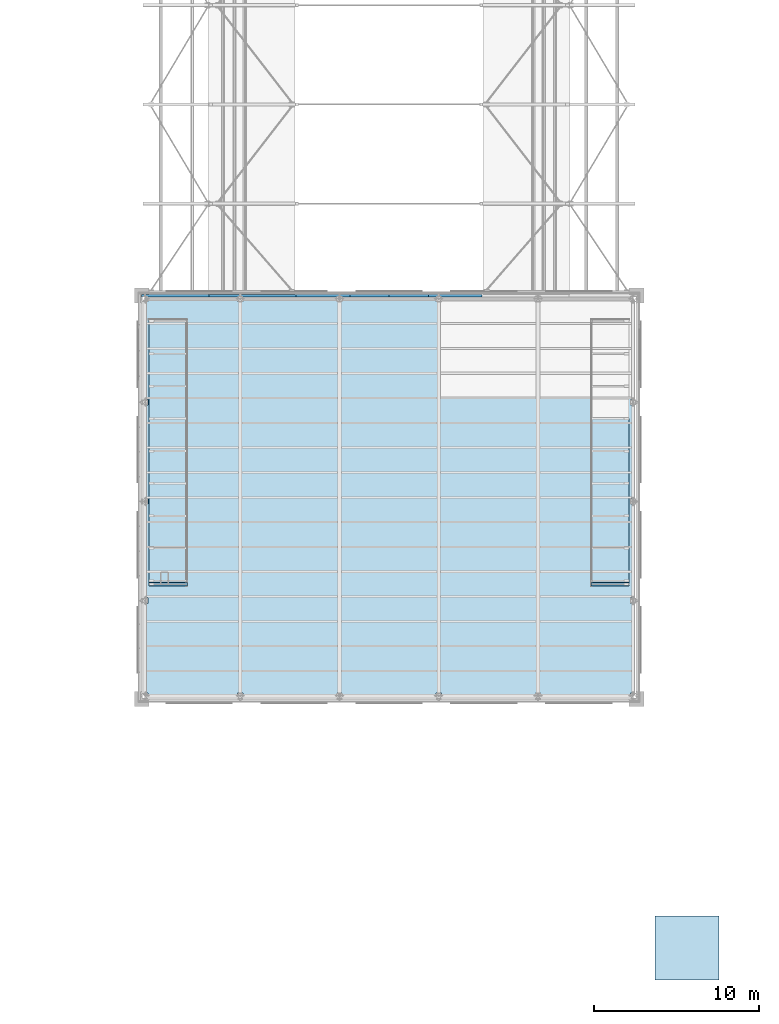
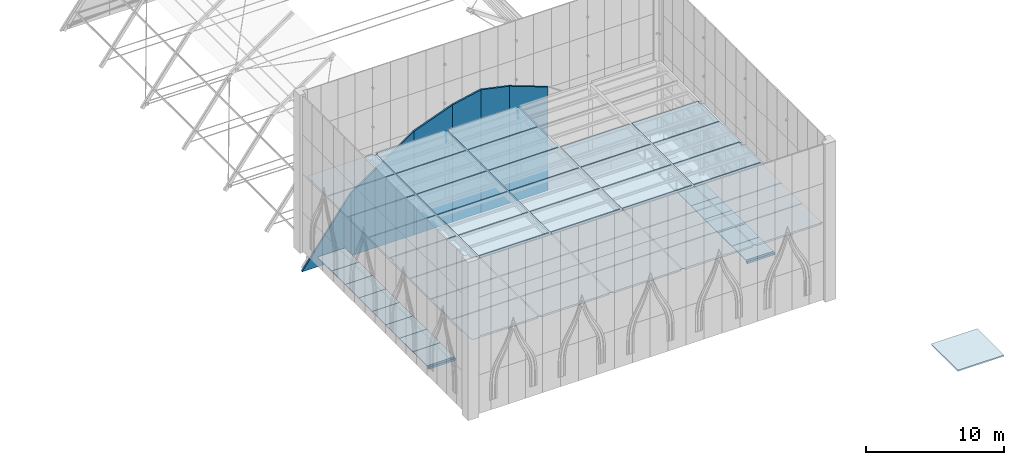
# One storey, part 14 of 43: 52 slabs, 6 plates.
"""IFC4 building model written with IfcOpenShell, lengths in metres."""

import ifcopenshell
import ifcopenshell.guid

model = None  # the IFC model being written
_history = None  # IfcOwnerHistory: only IFC2X3 demands one
_inside = {}  # id of a spatial element -> (the spatial element, [elements in it])
_under = {}  # id of a project, library or spatial element -> (it, [spatial elements below it])
_declared = {}  # id of a project -> (the project, [libraries it declares])
_typed = {}  # id of a type object -> (the type object, [elements of that type])
_made_of = {}  # id of a material, layer set ... -> (it, [elements and type objects made of it])


def new_model(schema):
    """Start an empty IFC model of exactly this schema.

    Asked for "IFC4X3", IfcOpenShell would pick the latest addendum, in which some entities
    have other attributes; the version numbers below select the first issue.
    IFC2X3 requires an IfcOwnerHistory on every rooted entity: one is made here for all.
    """
    global model, _history
    if schema == "IFC4X3":
        model = ifcopenshell.file(schema_version=(4, 3, 0, 0))
    else:
        model = ifcopenshell.file(schema=schema)
    _inside.clear()
    _under.clear()
    _declared.clear()
    _typed.clear()
    _made_of.clear()
    _history = None
    if model.schema == "IFC2X3":
        org = make("IfcOrganization", Name="unknown")
        user = make(
            "IfcPersonAndOrganization",
            ThePerson=make("IfcPerson", FamilyName="unknown"),
            TheOrganization=org,
        )
        app = make(
            "IfcApplication",
            ApplicationDeveloper=org,
            Version="unknown",
            ApplicationFullName="unknown",
            ApplicationIdentifier="unknown",
        )
        _history = make(
            "IfcOwnerHistory",
            OwningUser=user,
            OwningApplication=app,
            ChangeAction="ADDED",
            CreationDate=0,
        )
    return model


def make(cls, **values):
    """One entity of the class cls with the attributes given. An attribute that is None is left unset."""
    return model.create_entity(
        cls, **{name: value for name, value in values.items() if value is not None}
    )


def rooted(cls, **values):
    """An entity with a GlobalId (a new one), such as an element, a storey or a relation."""
    return make(cls, GlobalId=ifcopenshell.guid.new(), OwnerHistory=_history, **values)


def si_unit(unit_type, name, prefix=None):
    """IfcSIUnit, for example si_unit("LENGTHUNIT", "METRE", prefix="MILLI")."""
    return make("IfcSIUnit", UnitType=unit_type, Prefix=prefix, Name=name)


def assignment(units):
    """IfcUnitAssignment: the units of a project."""
    return None if units is None else make("IfcUnitAssignment", Units=units)


def point(xyz):
    """IfcCartesianPoint."""
    return None if xyz is None else make("IfcCartesianPoint", Coordinates=xyz)


def direction(xyz):
    """IfcDirection."""
    return None if xyz is None else make("IfcDirection", DirectionRatios=xyz)


def frame(location, z_axis=None, x_axis=None):
    """IfcAxis2Placement3D, a coordinate frame: its origin and axes. An axis left out is left unset."""
    return make(
        "IfcAxis2Placement3D",
        Location=point(location),
        Axis=direction(z_axis),
        RefDirection=direction(x_axis),
    )


def origin():
    """The frame at (0, 0, 0) with its axes left unset."""
    return frame((0.0, 0.0, 0.0))


def place(relative_to, where):
    """IfcLocalPlacement: puts the frame where relative to a parent placement (None: the world)."""
    return make(
        "IfcLocalPlacement", PlacementRelTo=relative_to, RelativePlacement=where
    )


def context(
    kind, dimensions, precision=None, world=None, true_north=None, identifier=None
):
    """IfcGeometricRepresentationContext, for example the 3D "Model" context."""
    return make(
        "IfcGeometricRepresentationContext",
        ContextIdentifier=identifier,
        ContextType=kind,
        CoordinateSpaceDimension=dimensions,
        Precision=precision,
        WorldCoordinateSystem=world,
        TrueNorth=true_north,
    )


def subcontext(parent, identifier, kind, view, scale=None):
    """IfcGeometricRepresentationSubContext, for example "Body" below "Model"."""
    return make(
        "IfcGeometricRepresentationSubContext",
        ContextIdentifier=identifier,
        ContextType=kind,
        ParentContext=parent,
        TargetScale=scale,
        TargetView=view,
    )


def project(units=None, contexts=None):
    """IfcProject with its units and contexts."""
    return rooted(
        "IfcProject",
        Name="project",
        RepresentationContexts=contexts,
        UnitsInContext=assignment(units),
    )


def spatial(cls, under=None, at=None, **own):
    """A site, building, storey or space (cls), placed at a placement, below another one or the project."""
    s = rooted(cls, ObjectPlacement=at, **own)
    if under is not None:
        _under.setdefault(under.id(), (under, []))[1].append(s)
    return s


def polyline(points):
    """IfcPolyline through the points."""
    return make("IfcPolyline", Points=[point(p) for p in points])


def outline(outer, holes=None, kind="AREA"):
    """IfcArbitraryClosedProfileDef: a profile drawn as a closed curve; with holes, ...WithVoids."""
    if holes is None:
        return make("IfcArbitraryClosedProfileDef", ProfileType=kind, OuterCurve=outer)
    return make(
        "IfcArbitraryProfileDefWithVoids",
        ProfileType=kind,
        OuterCurve=outer,
        InnerCurves=holes,
    )


def extrude(swept, where, along, depth):
    """IfcExtrudedAreaSolid: the profile swept, set in the frame where, extruded along a direction by depth."""
    return make(
        "IfcExtrudedAreaSolid",
        SweptArea=swept,
        Position=where,
        ExtrudedDirection=direction(along),
        Depth=depth,
    )


def shape(context_of_items, identifier, shape_type, items):
    """IfcShapeRepresentation: the items that make up one representation, for example the "Body"."""
    return make(
        "IfcShapeRepresentation",
        ContextOfItems=context_of_items,
        RepresentationIdentifier=identifier,
        RepresentationType=shape_type,
        Items=items,
    )


def material(Name=None, Category=None):
    """IfcMaterial."""
    return make("IfcMaterial", Name=Name, Category=Category)


def layer(
    of_material, thickness, ventilated=None, Name=None, Category=None, Priority=None
):
    """IfcMaterialLayer: one layer of a wall or slab, of a material (None: an air gap)."""
    return make(
        "IfcMaterialLayer",
        Material=of_material,
        LayerThickness=thickness,
        IsVentilated=ventilated,
        Name=Name,
        Category=Category,
        Priority=Priority,
    )


def layer_set(layers, Name=None):
    """IfcMaterialLayerSet."""
    return make("IfcMaterialLayerSet", MaterialLayers=layers, LayerSetName=Name)


def made_of(thing, what):
    """Note that an element or type object is made of a material, layer set ...; save() writes the relation."""
    if what is not None:
        _made_of.setdefault(what.id(), (what, []))[1].append(thing)
    return thing


def type_object(cls, material=None, **own):
    """A type object (cls), such as IfcWallType, which elements share."""
    return made_of(rooted(cls, **own), material)


def element(
    cls,
    number,
    at=None,
    inside=None,
    cuts=None,
    type_object=None,
    material=None,
    context=None,
    identifier="Body",
    shape_type=None,
    held_by="IfcProductDefinitionShape",
    body=None,
    shapes=None,
    **own,
):
    """One element of the class cls, such as IfcWall. Its Tag is "e" and its number.

    at: its placement. inside: the storey or other place that contains it. cuts: it is an
    opening in that element (IfcRelVoidsElement). A single representation is given by context,
    identifier, shape_type and body (its items); several are given by shapes. held_by: the class
    of the entity that holds the representations. save() writes the other relations.
    """
    e = rooted(cls, Tag="e%d" % number, ObjectPlacement=at, **own)
    if body is not None:
        shapes = [shape(context, identifier, shape_type, body)]
    if shapes is not None:
        e.Representation = make(held_by, Representations=shapes)
    if inside is not None:
        _inside.setdefault(inside.id(), (inside, []))[1].append(e)
    if cuts is not None:
        rooted(
            "IfcRelVoidsElement", RelatingBuildingElement=cuts, RelatedOpeningElement=e
        )
    if type_object is not None:
        _typed.setdefault(type_object.id(), (type_object, []))[1].append(e)
    return made_of(e, material)


def aggregate(whole, parts):
    """IfcRelAggregates: a whole, such as a stair, and the parts it consists of."""
    return rooted("IfcRelAggregates", RelatingObject=whole, RelatedObjects=parts)


def save(model, path):
    """Write the relations noted so far, then the file.

    IfcRelAggregates (storeys below a building ...), IfcRelContainedInSpatialStructure (elements
    in a storey), IfcRelDefinesByType, IfcRelAssociatesMaterial and IfcRelDeclares: one each for
    every whole, place, type object, material and project.
    """
    for whole, parts in _under.values():
        aggregate(whole, parts)
    for where, things in _inside.values():
        rooted(
            "IfcRelContainedInSpatialStructure",
            RelatedElements=things,
            RelatingStructure=where,
        )
    for kind, things in _typed.values():
        rooted("IfcRelDefinesByType", RelatedObjects=things, RelatingType=kind)
    for what, things in _made_of.values():
        rooted("IfcRelAssociatesMaterial", RelatedObjects=things, RelatingMaterial=what)
    for by, libraries in _declared.values():
        rooted("IfcRelDeclares", RelatingContext=by, RelatedDefinitions=libraries)
    model.write(path)


model = new_model("IFC4")

# Units and contexts
model_context = context("Model", 3, precision=1e-05, world=origin(), true_north=direction((0.0, 1.0)))
body_context = subcontext(model_context, "Body", "Model", "MODEL_VIEW")
ifc_project = project(units=[si_unit("LENGTHUNIT", "METRE"), si_unit("AREAUNIT", "SQUARE_METRE"), si_unit("VOLUMEUNIT", "CUBIC_METRE"), si_unit("PLANEANGLEUNIT", "RADIAN"), si_unit("MASSUNIT", "GRAM", prefix="KILO")], contexts=[model_context])

# Site, building, storey
site_placement = place(None, origin())
site = spatial("IfcSite", under=ifc_project, at=site_placement, CompositionType="ELEMENT")
building_placement = place(site_placement, origin())
building = spatial("IfcBuilding", under=site, at=building_placement, Name="Saffron Lane Theatres", CompositionType="ELEMENT")
storey_placement = place(building_placement, frame((0.0, 0.0, 23.0)))
storey = spatial("IfcBuildingStorey", under=building, at=storey_placement, Name="Roof", CompositionType="ELEMENT", Elevation=23.0)

# Slabs
ifc_material_1 = material(Name="Steel Grade 350 chequer plate", Category="steel")
ifc_layer_1 = layer(ifc_material_1, 0.050048828125)
ifc_layer_set_1 = layer_set([ifc_layer_1], Name="Steel Grade 350 chequer plate")
slab_type_1 = type_object("IfcSlabType", Name="ST-GALLERY DECK", PredefinedType="USERDEFINED", material=ifc_layer_set_1)
slab_1_placement = place(storey_placement, frame((0.0, 0.0, -0.050048828125)))
element("IfcSlab", 1, at=slab_1_placement, inside=storey, type_object=slab_type_1, Name="FGW23-1", ObjectType="GALLERY", PredefinedType="USERDEFINED", context=body_context, shape_type="SweptSolid", body=[
    extrude(outline(polyline([(18.5, 37.10009765625), (20.800048828125, 37.10009765625), (20.800048828125, 39.16259765625), (18.5, 39.16259765625), (18.5, 37.10009765625)])), origin(), (0.0, 0.0, 1.0), 0.050048828125),
])
slab_2_placement = place(storey_placement, frame((0.0, 0.0, -0.050048828125)))
element("IfcSlab", 2, at=slab_2_placement, inside=storey, type_object=slab_type_1, Name="FGW23-2", ObjectType="GALLERY", PredefinedType="USERDEFINED", context=body_context, shape_type="SweptSolid", body=[
    extrude(outline(polyline([(18.5, 39.16259765625), (20.800048828125, 39.16259765625), (20.800048828125, 41.125), (18.5, 41.125), (18.5, 39.16259765625)])), origin(), (0.0, 0.0, 1.0), 0.050048828125),
])
slab_3_placement = place(storey_placement, frame((0.0, 0.0, -0.050048828125)))
element("IfcSlab", 3, at=slab_3_placement, inside=storey, type_object=slab_type_1, Name="FGW23-3", ObjectType="GALLERY", PredefinedType="USERDEFINED", context=body_context, shape_type="SweptSolid", body=[
    extrude(outline(polyline([(18.5, 41.125), (20.800048828125, 41.125), (20.800048828125, 43.08740234375), (18.5, 43.08740234375), (18.5, 41.125)])), origin(), (0.0, 0.0, 1.0), 0.050048828125),
])
slab_4_placement = place(storey_placement, frame((0.0, 0.0, -0.050048828125)))
element("IfcSlab", 4, at=slab_4_placement, inside=storey, type_object=slab_type_1, Name="FGW23-4", ObjectType="GALLERY", PredefinedType="USERDEFINED", context=body_context, shape_type="SweptSolid", body=[
    extrude(outline(polyline([(18.5, 43.08740234375), (20.800048828125, 43.08740234375), (20.800048828125, 45.050048828125), (18.5, 45.050048828125), (18.5, 43.08740234375)])), origin(), (0.0, 0.0, 1.0), 0.050048828125),
])
slab_5_placement = place(storey_placement, frame((0.0, 0.0, -0.050048828125)))
element("IfcSlab", 5, at=slab_5_placement, inside=storey, type_object=slab_type_1, Name="FGW23-5", ObjectType="GALLERY", PredefinedType="USERDEFINED", context=body_context, shape_type="SweptSolid", body=[
    extrude(outline(polyline([(18.5, 45.050048828125), (20.800048828125, 45.050048828125), (20.800048828125, 47.012451171875), (18.5, 47.012451171875), (18.5, 45.050048828125)])), origin(), (0.0, 0.0, 1.0), 0.050048828125),
])
slab_6_placement = place(storey_placement, frame((0.0, 0.0, -0.050048828125)))
element("IfcSlab", 6, at=slab_6_placement, inside=storey, type_object=slab_type_1, Name="FGW23-6", ObjectType="GALLERY", PredefinedType="USERDEFINED", context=body_context, shape_type="SweptSolid", body=[
    extrude(outline(polyline([(18.5, 47.012451171875), (20.800048828125, 47.012451171875), (20.800048828125, 48.97509765625), (18.5, 48.97509765625), (18.5, 47.012451171875)])), origin(), (0.0, 0.0, 1.0), 0.050048828125),
])
slab_7_placement = place(storey_placement, frame((0.0, 0.0, -0.050048828125)))
element("IfcSlab", 7, at=slab_7_placement, inside=storey, type_object=slab_type_1, Name="FGW23-7", ObjectType="GALLERY", PredefinedType="USERDEFINED", context=body_context, shape_type="SweptSolid", body=[
    extrude(outline(polyline([(18.5, 48.97509765625), (20.800048828125, 48.97509765625), (20.800048828125, 50.9375), (18.5, 50.9375), (18.5, 48.97509765625)])), origin(), (0.0, 0.0, 1.0), 0.050048828125),
])
slab_8_placement = place(storey_placement, frame((0.0, 0.0, -0.050048828125)))
element("IfcSlab", 8, at=slab_8_placement, inside=storey, type_object=slab_type_1, Name="FGW23-8", ObjectType="GALLERY", PredefinedType="USERDEFINED", context=body_context, shape_type="SweptSolid", body=[
    extrude(outline(polyline([(18.5, 50.9375), (20.800048828125, 50.9375), (20.800048828125, 53.0), (18.5, 53.0), (18.5, 50.9375)])), origin(), (0.0, 0.0, 1.0), 0.050048828125),
])
slab_9_placement = place(storey_placement, frame((0.0, 0.0, -0.050048828125)))
element("IfcSlab", 9, at=slab_9_placement, inside=storey, type_object=slab_type_1, Name="FGE23-1", ObjectType="GALLERY", PredefinedType="USERDEFINED", context=body_context, shape_type="SweptSolid", body=[
    extrude(outline(polyline([(45.199951171875, 37.10009765625), (47.5, 37.10009765625), (47.5, 39.16259765625), (45.199951171875, 39.16259765625), (45.199951171875, 37.10009765625)])), origin(), (0.0, 0.0, 1.0), 0.050048828125),
])
slab_10_placement = place(storey_placement, frame((0.0, 0.0, -0.050048828125)))
element("IfcSlab", 10, at=slab_10_placement, inside=storey, type_object=slab_type_1, Name="FGE23-2", ObjectType="GALLERY", PredefinedType="USERDEFINED", context=body_context, shape_type="SweptSolid", body=[
    extrude(outline(polyline([(45.199951171875, 39.16259765625), (47.5, 39.16259765625), (47.5, 41.125), (45.199951171875, 41.125), (45.199951171875, 39.16259765625)])), origin(), (0.0, 0.0, 1.0), 0.050048828125),
])
slab_11_placement = place(storey_placement, frame((0.0, 0.0, -0.050048828125)))
element("IfcSlab", 11, at=slab_11_placement, inside=storey, type_object=slab_type_1, Name="FGE23-3", ObjectType="GALLERY", PredefinedType="USERDEFINED", context=body_context, shape_type="SweptSolid", body=[
    extrude(outline(polyline([(45.199951171875, 41.125), (47.5, 41.125), (47.5, 43.08740234375), (45.199951171875, 43.08740234375), (45.199951171875, 41.125)])), origin(), (0.0, 0.0, 1.0), 0.050048828125),
])
slab_12_placement = place(storey_placement, frame((0.0, 0.0, -0.050048828125)))
element("IfcSlab", 12, at=slab_12_placement, inside=storey, type_object=slab_type_1, Name="FGE23-4", ObjectType="GALLERY", PredefinedType="USERDEFINED", context=body_context, shape_type="SweptSolid", body=[
    extrude(outline(polyline([(45.199951171875, 43.08740234375), (47.5, 43.08740234375), (47.5, 45.050048828125), (45.199951171875, 45.050048828125), (45.199951171875, 43.08740234375)])), origin(), (0.0, 0.0, 1.0), 0.050048828125),
])
slab_13_placement = place(storey_placement, frame((0.0, 0.0, -0.050048828125)))
element("IfcSlab", 13, at=slab_13_placement, inside=storey, type_object=slab_type_1, Name="FGE23-5", ObjectType="GALLERY", PredefinedType="USERDEFINED", context=body_context, shape_type="SweptSolid", body=[
    extrude(outline(polyline([(45.199951171875, 45.050048828125), (47.5, 45.050048828125), (47.5, 47.012451171875), (45.199951171875, 47.012451171875), (45.199951171875, 45.050048828125)])), origin(), (0.0, 0.0, 1.0), 0.050048828125),
])
ifc_material_2 = material(Name="Steel Grade 350 chequer plate", Category="steel")
ifc_layer_2 = layer(ifc_material_2, 0.35009765625)
ifc_layer_set_2 = layer_set([ifc_layer_2], Name="Steel Grade 350 chequer plate")
slab_type_2 = type_object("IfcSlabType", Name="ST-GALLERY LANDING PLATE", PredefinedType="USERDEFINED", material=ifc_layer_set_2)
slab_14_placement = place(storey_placement, frame((0.0, 0.0, -0.199951171875)))
element("IfcSlab", 14, at=slab_14_placement, inside=storey, type_object=slab_type_2, Name="FPW23", ObjectType="GALLERY", PredefinedType="USERDEFINED", context=body_context, shape_type="SweptSolid", body=[
    extrude(outline(polyline([(18.5, 36.89990234375), (20.800048828125, 36.89990234375), (20.800048828125, 37.10009765625), (18.5, 37.10009765625), (18.5, 36.89990234375)])), origin(), (0.0, 0.0, 1.0), 0.199951171875),
])
slab_15_placement = place(storey_placement, frame((0.0, 0.0, -0.199951171875)))
element("IfcSlab", 15, at=slab_15_placement, inside=storey, type_object=slab_type_2, Name="FPE23", ObjectType="GALLERY", PredefinedType="USERDEFINED", context=body_context, shape_type="SweptSolid", body=[
    extrude(outline(polyline([(45.199951171875, 36.89990234375), (47.5, 36.89990234375), (47.5, 37.10009765625), (45.199951171875, 37.10009765625), (45.199951171875, 36.89990234375)])), origin(), (0.0, 0.0, 1.0), 0.199951171875),
])
ifc_material_3 = material(Name="Steel Grade 350 grating", Category="steel")
ifc_layer_3 = layer(ifc_material_3, 0.050048828125)
ifc_layer_set_3 = layer_set([ifc_layer_3], Name="Steel Grade 350 grating")
slab_type_3 = type_object("IfcSlabType", Name="ST-GRIDIRON GRATING", PredefinedType="USERDEFINED", material=ifc_layer_set_3)
slab_16_placement = place(storey_placement, frame((0.0, 0.0, 6.449951171875)))
element("IfcSlab", 16, at=slab_16_placement, inside=storey, type_object=slab_type_3, Name="GP1", ObjectType="GRIDIRON", PredefinedType="USERDEFINED", context=body_context, shape_type="SweptSolid", body=[
    extrude(outline(polyline([(18.410400390625, 30.280029296875), (18.410400390625, 30.41845703125), (18.300048828125, 30.41845703125), (18.300048828125, 33.219970703125), (23.949951171875, 33.219970703125), (23.949951171875, 30.41845703125), (23.839599609375, 30.41845703125), (23.839599609375, 30.280029296875), (18.410400390625, 30.280029296875)])), origin(), (0.0, 0.0, 1.0), 0.050048828125),
])
slab_17_placement = place(storey_placement, frame((0.0, 0.0, 6.449951171875)))
element("IfcSlab", 17, at=slab_17_placement, inside=storey, type_object=slab_type_3, Name="GP2", ObjectType="GRIDIRON", PredefinedType="USERDEFINED", context=body_context, shape_type="SweptSolid", body=[
    extrude(outline(polyline([(18.41845703125, 36.160400390625), (18.300048828125, 36.160400390625), (18.300048828125, 36.219970703125), (23.949951171875, 36.219970703125), (23.949951171875, 33.280029296875), (18.300048828125, 33.280029296875), (18.300048828125, 35.839599609375), (18.41845703125, 35.839599609375), (18.41845703125, 36.160400390625)])), origin(), (0.0, 0.0, 1.0), 0.050048828125),
])
slab_18_placement = place(storey_placement, frame((0.0, 0.0, 6.449951171875)))
element("IfcSlab", 18, at=slab_18_placement, inside=storey, type_object=slab_type_3, Name="GP3", ObjectType="GRIDIRON", PredefinedType="USERDEFINED", context=body_context, shape_type="SweptSolid", body=[
    extrude(outline(polyline([(23.949951171875, 36.280029296875), (18.300048828125, 36.280029296875), (18.300048828125, 39.219970703125), (23.949951171875, 39.219970703125), (23.949951171875, 36.280029296875)])), origin(), (0.0, 0.0, 1.0), 0.050048828125),
])
slab_19_placement = place(storey_placement, frame((0.0, 0.0, 6.449951171875)))
element("IfcSlab", 19, at=slab_19_placement, inside=storey, type_object=slab_type_3, Name="GP4", ObjectType="GRIDIRON", PredefinedType="USERDEFINED", context=body_context, shape_type="SweptSolid", body=[
    extrude(outline(polyline([(23.949951171875, 39.280029296875), (18.300048828125, 39.280029296875), (18.300048828125, 41.839599609375), (18.41845703125, 41.839599609375), (18.41845703125, 42.160400390625), (18.300048828125, 42.160400390625), (18.300048828125, 42.219970703125), (23.949951171875, 42.219970703125), (23.949951171875, 39.280029296875)])), origin(), (0.0, 0.0, 1.0), 0.050048828125),
])
slab_20_placement = place(storey_placement, frame((0.0, 0.0, 6.449951171875)))
element("IfcSlab", 20, at=slab_20_placement, inside=storey, type_object=slab_type_3, Name="GP5", ObjectType="GRIDIRON", PredefinedType="USERDEFINED", context=body_context, shape_type="SweptSolid", body=[
    extrude(outline(polyline([(23.949951171875, 42.280029296875), (18.300048828125, 42.280029296875), (18.300048828125, 45.219970703125), (23.949951171875, 45.219970703125), (23.949951171875, 42.280029296875)])), origin(), (0.0, 0.0, 1.0), 0.050048828125),
])
slab_21_placement = place(storey_placement, frame((0.0, 0.0, 6.449951171875)))
element("IfcSlab", 21, at=slab_21_placement, inside=storey, type_object=slab_type_3, Name="GP6", ObjectType="GRIDIRON", PredefinedType="USERDEFINED", context=body_context, shape_type="SweptSolid", body=[
    extrude(outline(polyline([(23.949951171875, 45.280029296875), (18.300048828125, 45.280029296875), (18.300048828125, 47.839599609375), (18.41845703125, 47.839599609375), (18.41845703125, 48.160400390625), (18.300048828125, 48.160400390625), (18.300048828125, 48.219970703125), (23.949951171875, 48.219970703125), (23.949951171875, 45.280029296875)])), origin(), (0.0, 0.0, 1.0), 0.050048828125),
])
slab_22_placement = place(storey_placement, frame((0.0, 0.0, 6.449951171875)))
element("IfcSlab", 22, at=slab_22_placement, inside=storey, type_object=slab_type_3, Name="GP7", ObjectType="GRIDIRON", PredefinedType="USERDEFINED", context=body_context, shape_type="SweptSolid", body=[
    extrude(outline(polyline([(23.949951171875, 48.280029296875), (18.300048828125, 48.280029296875), (18.300048828125, 51.219970703125), (23.949951171875, 51.219970703125), (23.949951171875, 48.280029296875)])), origin(), (0.0, 0.0, 1.0), 0.050048828125),
])
slab_23_placement = place(storey_placement, frame((0.0, 0.0, 6.449951171875)))
element("IfcSlab", 23, at=slab_23_placement, inside=storey, type_object=slab_type_3, Name="GP8", ObjectType="GRIDIRON", PredefinedType="USERDEFINED", context=body_context, shape_type="SweptSolid", body=[
    extrude(outline(polyline([(23.949951171875, 51.280029296875), (18.300048828125, 51.280029296875), (18.300048828125, 54.08154296875), (18.410400390625, 54.08154296875), (18.410400390625, 54.219970703125), (23.839599609375, 54.219970703125), (23.839599609375, 54.08154296875), (23.949951171875, 54.08154296875), (23.949951171875, 51.280029296875)])), origin(), (0.0, 0.0, 1.0), 0.050048828125),
])
slab_24_placement = place(storey_placement, frame((0.0, 0.0, 6.449951171875)))
element("IfcSlab", 24, at=slab_24_placement, inside=storey, type_object=slab_type_3, Name="GP9", ObjectType="GRIDIRON", PredefinedType="USERDEFINED", context=body_context, shape_type="SweptSolid", body=[
    extrude(outline(polyline([(24.160400390625, 30.41845703125), (24.050048828125, 30.41845703125), (24.050048828125, 33.219970703125), (29.949951171875, 33.219970703125), (29.949951171875, 30.41845703125), (29.839599609375, 30.41845703125), (29.839599609375, 30.280029296875), (24.160400390625, 30.280029296875), (24.160400390625, 30.41845703125)])), origin(), (0.0, 0.0, 1.0), 0.050048828125),
])
slab_25_placement = place(storey_placement, frame((0.0, 0.0, 6.449951171875)))
element("IfcSlab", 25, at=slab_25_placement, inside=storey, type_object=slab_type_3, Name="GP10", ObjectType="GRIDIRON", PredefinedType="USERDEFINED", context=body_context, shape_type="SweptSolid", body=[
    extrude(outline(polyline([(29.949951171875, 33.280029296875), (24.050048828125, 33.280029296875), (24.050048828125, 36.219970703125), (29.949951171875, 36.219970703125), (29.949951171875, 33.280029296875)])), origin(), (0.0, 0.0, 1.0), 0.050048828125),
])
slab_26_placement = place(storey_placement, frame((0.0, 0.0, 6.449951171875)))
element("IfcSlab", 26, at=slab_26_placement, inside=storey, type_object=slab_type_3, Name="GP11", ObjectType="GRIDIRON", PredefinedType="USERDEFINED", context=body_context, shape_type="SweptSolid", body=[
    extrude(outline(polyline([(29.949951171875, 36.280029296875), (24.050048828125, 36.280029296875), (24.050048828125, 39.219970703125), (29.949951171875, 39.219970703125), (29.949951171875, 36.280029296875)])), origin(), (0.0, 0.0, 1.0), 0.050048828125),
])
slab_27_placement = place(storey_placement, frame((0.0, 0.0, 6.449951171875)))
element("IfcSlab", 27, at=slab_27_placement, inside=storey, type_object=slab_type_3, Name="GP12", ObjectType="GRIDIRON", PredefinedType="USERDEFINED", context=body_context, shape_type="SweptSolid", body=[
    extrude(outline(polyline([(29.949951171875, 39.280029296875), (24.050048828125, 39.280029296875), (24.050048828125, 42.219970703125), (29.949951171875, 42.219970703125), (29.949951171875, 39.280029296875)])), origin(), (0.0, 0.0, 1.0), 0.050048828125),
])
slab_28_placement = place(storey_placement, frame((0.0, 0.0, 6.449951171875)))
element("IfcSlab", 28, at=slab_28_placement, inside=storey, type_object=slab_type_3, Name="GP13", ObjectType="GRIDIRON", PredefinedType="USERDEFINED", context=body_context, shape_type="SweptSolid", body=[
    extrude(outline(polyline([(29.949951171875, 42.280029296875), (24.050048828125, 42.280029296875), (24.050048828125, 45.219970703125), (29.949951171875, 45.219970703125), (29.949951171875, 42.280029296875)])), origin(), (0.0, 0.0, 1.0), 0.050048828125),
])
slab_29_placement = place(storey_placement, frame((0.0, 0.0, 6.449951171875)))
element("IfcSlab", 29, at=slab_29_placement, inside=storey, type_object=slab_type_3, Name="GP14", ObjectType="GRIDIRON", PredefinedType="USERDEFINED", context=body_context, shape_type="SweptSolid", body=[
    extrude(outline(polyline([(29.949951171875, 45.280029296875), (24.050048828125, 45.280029296875), (24.050048828125, 48.219970703125), (29.949951171875, 48.219970703125), (29.949951171875, 45.280029296875)])), origin(), (0.0, 0.0, 1.0), 0.050048828125),
])
slab_30_placement = place(storey_placement, frame((0.0, 0.0, 6.449951171875)))
element("IfcSlab", 30, at=slab_30_placement, inside=storey, type_object=slab_type_3, Name="GP15", ObjectType="GRIDIRON", PredefinedType="USERDEFINED", context=body_context, shape_type="SweptSolid", body=[
    extrude(outline(polyline([(29.949951171875, 48.280029296875), (24.050048828125, 48.280029296875), (24.050048828125, 51.219970703125), (29.949951171875, 51.219970703125), (29.949951171875, 48.280029296875)])), origin(), (0.0, 0.0, 1.0), 0.050048828125),
])
slab_31_placement = place(storey_placement, frame((0.0, 0.0, 6.449951171875)))
element("IfcSlab", 31, at=slab_31_placement, inside=storey, type_object=slab_type_3, Name="GP16", ObjectType="GRIDIRON", PredefinedType="USERDEFINED", context=body_context, shape_type="SweptSolid", body=[
    extrude(outline(polyline([(24.160400390625, 54.219970703125), (29.839599609375, 54.219970703125), (29.839599609375, 54.08154296875), (29.949951171875, 54.08154296875), (29.949951171875, 51.280029296875), (24.050048828125, 51.280029296875), (24.050048828125, 54.08154296875), (24.160400390625, 54.08154296875), (24.160400390625, 54.219970703125)])), origin(), (0.0, 0.0, 1.0), 0.050048828125),
])
slab_32_placement = place(storey_placement, frame((0.0, 0.0, 6.449951171875)))
element("IfcSlab", 32, at=slab_32_placement, inside=storey, type_object=slab_type_3, Name="GP17", ObjectType="GRIDIRON", PredefinedType="USERDEFINED", context=body_context, shape_type="SweptSolid", body=[
    extrude(outline(polyline([(30.050048828125, 33.219970703125), (35.949951171875, 33.219970703125), (35.949951171875, 30.41845703125), (35.839599609375, 30.41845703125), (35.839599609375, 30.280029296875), (30.160400390625, 30.280029296875), (30.160400390625, 30.41845703125), (30.050048828125, 30.41845703125), (30.050048828125, 33.219970703125)])), origin(), (0.0, 0.0, 1.0), 0.050048828125),
])
slab_33_placement = place(storey_placement, frame((0.0, 0.0, 6.449951171875)))
element("IfcSlab", 33, at=slab_33_placement, inside=storey, type_object=slab_type_3, Name="GP18", ObjectType="GRIDIRON", PredefinedType="USERDEFINED", context=body_context, shape_type="SweptSolid", body=[
    extrude(outline(polyline([(35.949951171875, 33.280029296875), (30.050048828125, 33.280029296875), (30.050048828125, 36.219970703125), (35.949951171875, 36.219970703125), (35.949951171875, 33.280029296875)])), origin(), (0.0, 0.0, 1.0), 0.050048828125),
])
slab_34_placement = place(storey_placement, frame((0.0, 0.0, 6.449951171875)))
element("IfcSlab", 34, at=slab_34_placement, inside=storey, type_object=slab_type_3, Name="GP19", ObjectType="GRIDIRON", PredefinedType="USERDEFINED", context=body_context, shape_type="SweptSolid", body=[
    extrude(outline(polyline([(35.949951171875, 36.280029296875), (30.050048828125, 36.280029296875), (30.050048828125, 39.219970703125), (35.949951171875, 39.219970703125), (35.949951171875, 36.280029296875)])), origin(), (0.0, 0.0, 1.0), 0.050048828125),
])
slab_35_placement = place(storey_placement, frame((0.0, 0.0, 6.449951171875)))
element("IfcSlab", 35, at=slab_35_placement, inside=storey, type_object=slab_type_3, Name="GP20", ObjectType="GRIDIRON", PredefinedType="USERDEFINED", context=body_context, shape_type="SweptSolid", body=[
    extrude(outline(polyline([(35.949951171875, 39.280029296875), (30.050048828125, 39.280029296875), (30.050048828125, 42.219970703125), (35.949951171875, 42.219970703125), (35.949951171875, 39.280029296875)])), origin(), (0.0, 0.0, 1.0), 0.050048828125),
])
slab_36_placement = place(storey_placement, frame((0.0, 0.0, 6.449951171875)))
element("IfcSlab", 36, at=slab_36_placement, inside=storey, type_object=slab_type_3, Name="GP21", ObjectType="GRIDIRON", PredefinedType="USERDEFINED", context=body_context, shape_type="SweptSolid", body=[
    extrude(outline(polyline([(35.949951171875, 42.280029296875), (30.050048828125, 42.280029296875), (30.050048828125, 45.219970703125), (35.949951171875, 45.219970703125), (35.949951171875, 42.280029296875)])), origin(), (0.0, 0.0, 1.0), 0.050048828125),
])
slab_37_placement = place(storey_placement, frame((0.0, 0.0, 6.449951171875)))
element("IfcSlab", 37, at=slab_37_placement, inside=storey, type_object=slab_type_3, Name="GP22", ObjectType="GRIDIRON", PredefinedType="USERDEFINED", context=body_context, shape_type="SweptSolid", body=[
    extrude(outline(polyline([(35.949951171875, 45.280029296875), (30.050048828125, 45.280029296875), (30.050048828125, 48.219970703125), (35.949951171875, 48.219970703125), (35.949951171875, 45.280029296875)])), origin(), (0.0, 0.0, 1.0), 0.050048828125),
])
slab_38_placement = place(storey_placement, frame((0.0, 0.0, 6.449951171875)))
element("IfcSlab", 38, at=slab_38_placement, inside=storey, type_object=slab_type_3, Name="GP23", ObjectType="GRIDIRON", PredefinedType="USERDEFINED", context=body_context, shape_type="SweptSolid", body=[
    extrude(outline(polyline([(35.949951171875, 48.280029296875), (30.050048828125, 48.280029296875), (30.050048828125, 51.219970703125), (35.949951171875, 51.219970703125), (35.949951171875, 48.280029296875)])), origin(), (0.0, 0.0, 1.0), 0.050048828125),
])
slab_39_placement = place(storey_placement, frame((0.0, 0.0, 6.449951171875)))
element("IfcSlab", 39, at=slab_39_placement, inside=storey, type_object=slab_type_3, Name="GP24", ObjectType="GRIDIRON", PredefinedType="USERDEFINED", context=body_context, shape_type="SweptSolid", body=[
    extrude(outline(polyline([(30.160400390625, 54.219970703125), (35.839599609375, 54.219970703125), (35.839599609375, 54.08154296875), (35.949951171875, 54.08154296875), (35.949951171875, 51.280029296875), (30.050048828125, 51.280029296875), (30.050048828125, 54.08154296875), (30.160400390625, 54.08154296875), (30.160400390625, 54.219970703125)])), origin(), (0.0, 0.0, 1.0), 0.050048828125),
])
slab_40_placement = place(storey_placement, frame((0.0, 0.0, 6.449951171875)))
element("IfcSlab", 40, at=slab_40_placement, inside=storey, type_object=slab_type_3, Name="GP25", ObjectType="GRIDIRON", PredefinedType="USERDEFINED", context=body_context, shape_type="SweptSolid", body=[
    extrude(outline(polyline([(41.949951171875, 30.41845703125), (41.839599609375, 30.41845703125), (41.839599609375, 30.280029296875), (36.160400390625, 30.280029296875), (36.160400390625, 30.41845703125), (36.050048828125, 30.41845703125), (36.050048828125, 33.219970703125), (41.949951171875, 33.219970703125), (41.949951171875, 30.41845703125)])), origin(), (0.0, 0.0, 1.0), 0.050048828125),
])
slab_41_placement = place(storey_placement, frame((0.0, 0.0, 6.449951171875)))
element("IfcSlab", 41, at=slab_41_placement, inside=storey, type_object=slab_type_3, Name="GP26", ObjectType="GRIDIRON", PredefinedType="USERDEFINED", context=body_context, shape_type="SweptSolid", body=[
    extrude(outline(polyline([(41.949951171875, 33.280029296875), (36.050048828125, 33.280029296875), (36.050048828125, 36.219970703125), (41.949951171875, 36.219970703125), (41.949951171875, 33.280029296875)])), origin(), (0.0, 0.0, 1.0), 0.050048828125),
])
slab_42_placement = place(storey_placement, frame((0.0, 0.0, 6.449951171875)))
element("IfcSlab", 42, at=slab_42_placement, inside=storey, type_object=slab_type_3, Name="GP27", ObjectType="GRIDIRON", PredefinedType="USERDEFINED", context=body_context, shape_type="SweptSolid", body=[
    extrude(outline(polyline([(41.949951171875, 36.280029296875), (36.050048828125, 36.280029296875), (36.050048828125, 39.219970703125), (41.949951171875, 39.219970703125), (41.949951171875, 36.280029296875)])), origin(), (0.0, 0.0, 1.0), 0.050048828125),
])
slab_43_placement = place(storey_placement, frame((0.0, 0.0, 6.449951171875)))
element("IfcSlab", 43, at=slab_43_placement, inside=storey, type_object=slab_type_3, Name="GP28", ObjectType="GRIDIRON", PredefinedType="USERDEFINED", context=body_context, shape_type="SweptSolid", body=[
    extrude(outline(polyline([(41.949951171875, 39.280029296875), (36.050048828125, 39.280029296875), (36.050048828125, 42.219970703125), (41.949951171875, 42.219970703125), (41.949951171875, 39.280029296875)])), origin(), (0.0, 0.0, 1.0), 0.050048828125),
])
slab_44_placement = place(storey_placement, frame((0.0, 0.0, 6.449951171875)))
element("IfcSlab", 44, at=slab_44_placement, inside=storey, type_object=slab_type_3, Name="GP29", ObjectType="GRIDIRON", PredefinedType="USERDEFINED", context=body_context, shape_type="SweptSolid", body=[
    extrude(outline(polyline([(41.949951171875, 42.280029296875), (36.050048828125, 42.280029296875), (36.050048828125, 45.219970703125), (41.949951171875, 45.219970703125), (41.949951171875, 42.280029296875)])), origin(), (0.0, 0.0, 1.0), 0.050048828125),
])
slab_45_placement = place(storey_placement, frame((0.0, 0.0, 6.449951171875)))
element("IfcSlab", 45, at=slab_45_placement, inside=storey, type_object=slab_type_3, Name="GP30", ObjectType="GRIDIRON", PredefinedType="USERDEFINED", context=body_context, shape_type="SweptSolid", body=[
    extrude(outline(polyline([(41.949951171875, 45.280029296875), (36.050048828125, 45.280029296875), (36.050048828125, 48.219970703125), (41.949951171875, 48.219970703125), (41.949951171875, 45.280029296875)])), origin(), (0.0, 0.0, 1.0), 0.050048828125),
])
slab_46_placement = place(storey_placement, frame((0.0, 0.0, 6.449951171875)))
element("IfcSlab", 46, at=slab_46_placement, inside=storey, type_object=slab_type_3, Name="GP33", ObjectType="GRIDIRON", PredefinedType="USERDEFINED", context=body_context, shape_type="SweptSolid", body=[
    extrude(outline(polyline([(47.589599609375, 30.280029296875), (42.160400390625, 30.280029296875), (42.160400390625, 30.41845703125), (42.050048828125, 30.41845703125), (42.050048828125, 33.219970703125), (47.699951171875, 33.219970703125), (47.699951171875, 30.41845703125), (47.589599609375, 30.41845703125), (47.589599609375, 30.280029296875)])), origin(), (0.0, 0.0, 1.0), 0.050048828125),
])
slab_47_placement = place(storey_placement, frame((0.0, 0.0, 6.449951171875)))
element("IfcSlab", 47, at=slab_47_placement, inside=storey, type_object=slab_type_3, Name="GP34", ObjectType="GRIDIRON", PredefinedType="USERDEFINED", context=body_context, shape_type="SweptSolid", body=[
    extrude(outline(polyline([(47.699951171875, 33.280029296875), (42.050048828125, 33.280029296875), (42.050048828125, 36.219970703125), (47.699951171875, 36.219970703125), (47.699951171875, 36.160400390625), (47.58154296875, 36.160400390625), (47.58154296875, 35.839599609375), (47.699951171875, 35.839599609375), (47.699951171875, 33.280029296875)])), origin(), (0.0, 0.0, 1.0), 0.050048828125),
])
slab_48_placement = place(storey_placement, frame((0.0, 0.0, 6.449951171875)))
element("IfcSlab", 48, at=slab_48_placement, inside=storey, type_object=slab_type_3, Name="GP35", ObjectType="GRIDIRON", PredefinedType="USERDEFINED", context=body_context, shape_type="SweptSolid", body=[
    extrude(outline(polyline([(47.699951171875, 36.280029296875), (42.050048828125, 36.280029296875), (42.050048828125, 39.219970703125), (47.699951171875, 39.219970703125), (47.699951171875, 36.280029296875)])), origin(), (0.0, 0.0, 1.0), 0.050048828125),
])
slab_49_placement = place(storey_placement, frame((0.0, 0.0, 6.449951171875)))
element("IfcSlab", 49, at=slab_49_placement, inside=storey, type_object=slab_type_3, Name="GP36", ObjectType="GRIDIRON", PredefinedType="USERDEFINED", context=body_context, shape_type="SweptSolid", body=[
    extrude(outline(polyline([(47.699951171875, 39.280029296875), (42.050048828125, 39.280029296875), (42.050048828125, 42.219970703125), (47.699951171875, 42.219970703125), (47.699951171875, 42.160400390625), (47.58154296875, 42.160400390625), (47.58154296875, 41.839599609375), (47.699951171875, 41.839599609375), (47.699951171875, 39.280029296875)])), origin(), (0.0, 0.0, 1.0), 0.050048828125),
])
slab_50_placement = place(storey_placement, frame((0.0, 0.0, 6.449951171875)))
element("IfcSlab", 50, at=slab_50_placement, inside=storey, type_object=slab_type_3, Name="GP37", ObjectType="GRIDIRON", PredefinedType="USERDEFINED", context=body_context, shape_type="SweptSolid", body=[
    extrude(outline(polyline([(47.699951171875, 42.280029296875), (42.050048828125, 42.280029296875), (42.050048828125, 45.219970703125), (47.699951171875, 45.219970703125), (47.699951171875, 42.280029296875)])), origin(), (0.0, 0.0, 1.0), 0.050048828125),
])
slab_51_placement = place(storey_placement, frame((0.0, 0.0, 6.449951171875)))
element("IfcSlab", 51, at=slab_51_placement, inside=storey, type_object=slab_type_3, Name="GP38", ObjectType="GRIDIRON", PredefinedType="USERDEFINED", context=body_context, shape_type="SweptSolid", body=[
    extrude(outline(polyline([(47.699951171875, 48.160400390625), (47.58154296875, 48.160400390625), (47.58154296875, 47.839599609375), (47.699951171875, 47.839599609375), (47.699951171875, 45.280029296875), (42.050048828125, 45.280029296875), (42.050048828125, 48.219970703125), (47.699951171875, 48.219970703125), (47.699951171875, 48.160400390625)])), origin(), (0.0, 0.0, 1.0), 0.050048828125),
])
ifc_material_4 = material(Name="Steel Grade 350 insulated roof deck", Category="steel")
ifc_layer_4 = layer(ifc_material_4, 0.10009765625)
ifc_layer_set_4 = layer_set([ifc_layer_4], Name="Steel Grade 350 insulated roof deck")
slab_type_4 = type_object("IfcSlabType", Name="ST-STUDIO ROOF DECK", PredefinedType="ROOF", material=ifc_layer_set_4)
slab_52_placement = place(storey_placement, frame((0.0, 0.0, 3.375)))
element("IfcSlab", 52, at=slab_52_placement, inside=storey, type_object=slab_type_4, Name="SD5", PredefinedType="ROOF", context=body_context, shape_type="SweptSolid", body=[
    extrude(outline(polyline([(49.070068359375, 13.070068359375), (52.929931640625, 13.070068359375), (52.929931640625, 16.929931640625), (49.070068359375, 16.929931640625), (49.070068359375, 13.070068359375)])), origin(), (0.0, 0.0, 1.0), 0.10498046875),
])

# Plates
ifc_material_5 = material(Name="Insulated metal panel", Category="metal")
ifc_layer_5 = layer(ifc_material_5, 0.14990234375)
ifc_layer_set_5 = layer_set([ifc_layer_5], Name="Insulated metal panel")
plate_type = type_object("IfcPlateType", Name="ST-VAULT END PANEL", PredefinedType="SHEET", material=ifc_layer_set_5)
plate_1_placement = place(storey_placement, frame((18.018798828125, 54.375, -2.0), z_axis=(0.0, -1.0, 0.0), x_axis=(1.0, 0.0, 0.0)))
element("IfcPlate", 53, at=plate_1_placement, inside=storey, type_object=plate_type, Name="VG1", PredefinedType="SHEET", context=body_context, shape_type="SweptSolid", body=[
    extrude(outline(polyline([(0.0, 0.0), (4.1005859375, 0.0), (4.1005859375, 5.53955078125), (0.0, 0.030029296875), (0.0, 0.0)])), origin(), (0.0, 0.0, -1.0), 0.14990234375),
])
plate_2_placement = place(storey_placement, frame((22.119384765625, 54.375, -2.0), z_axis=(0.0, -1.0, 0.0), x_axis=(1.0, 0.0, 0.0)))
element("IfcPlate", 54, at=plate_2_placement, inside=storey, type_object=plate_type, Name="VG2", PredefinedType="SHEET", context=body_context, shape_type="SweptSolid", body=[
    extrude(outline(polyline([(0.0, 0.0), (5.260986328125, 0.0), (5.260986328125, 9.1640625), (0.0, 5.53955078125), (0.0, 0.0)])), origin(), (0.0, 0.0, -1.0), 0.14990234375),
])
plate_3_placement = place(storey_placement, frame((27.38037109375, 54.375, -2.0), z_axis=(0.0, -1.0, 0.0), x_axis=(1.0, 0.0, 0.0)))
element("IfcPlate", 55, at=plate_3_placement, inside=storey, type_object=plate_type, Name="VG3", PredefinedType="SHEET", context=body_context, shape_type="SweptSolid", body=[
    extrude(outline(polyline([(0.0, 0.0), (3.243408203125, 0.0), (3.243408203125, 10.374267578125), (0.0, 9.1640625), (0.0, 0.0)])), origin(), (0.0, 0.0, -1.0), 0.14990234375),
])
plate_4_placement = place(storey_placement, frame((30.623779296875, 54.375, -2.0), z_axis=(0.0, -1.0, 0.0), x_axis=(1.0, 0.0, 0.0)))
element("IfcPlate", 56, at=plate_4_placement, inside=storey, type_object=plate_type, Name="VG4", PredefinedType="SHEET", context=body_context, shape_type="SweptSolid", body=[
    extrude(outline(polyline([(0.0, 0.0), (2.376220703125, 0.0), (2.376220703125, 10.88330078125), (0.0, 10.374267578125), (0.0, 0.0)])), origin(), (0.0, 0.0, -1.0), 0.14990234375),
])
plate_5_placement = place(storey_placement, frame((33.0, 54.375, -2.0), z_axis=(0.0, -1.0, 0.0), x_axis=(1.0, 0.0, 0.0)))
element("IfcPlate", 57, at=plate_5_placement, inside=storey, type_object=plate_type, Name="VG5", PredefinedType="SHEET", context=body_context, shape_type="SweptSolid", body=[
    extrude(outline(polyline([(0.0, 0.0), (2.376220703125, 0.0), (2.376220703125, 10.374267578125), (0.0, 10.88330078125), (0.0, 0.0)])), origin(), (0.0, 0.0, -1.0), 0.14990234375),
])
plate_6_placement = place(storey_placement, frame((35.376220703125, 54.375, -2.0), z_axis=(0.0, -1.0, 0.0), x_axis=(1.0, 0.0, 0.0)))
element("IfcPlate", 58, at=plate_6_placement, inside=storey, type_object=plate_type, Name="VG6", PredefinedType="SHEET", context=body_context, shape_type="SweptSolid", body=[
    extrude(outline(polyline([(0.0, 0.0), (3.243408203125, 0.0), (3.243408203125, 9.1640625), (0.0, 10.374267578125), (0.0, 0.0)])), origin(), (0.0, 0.0, -1.0), 0.14990234375),
])

save(model, "model.ifc")
